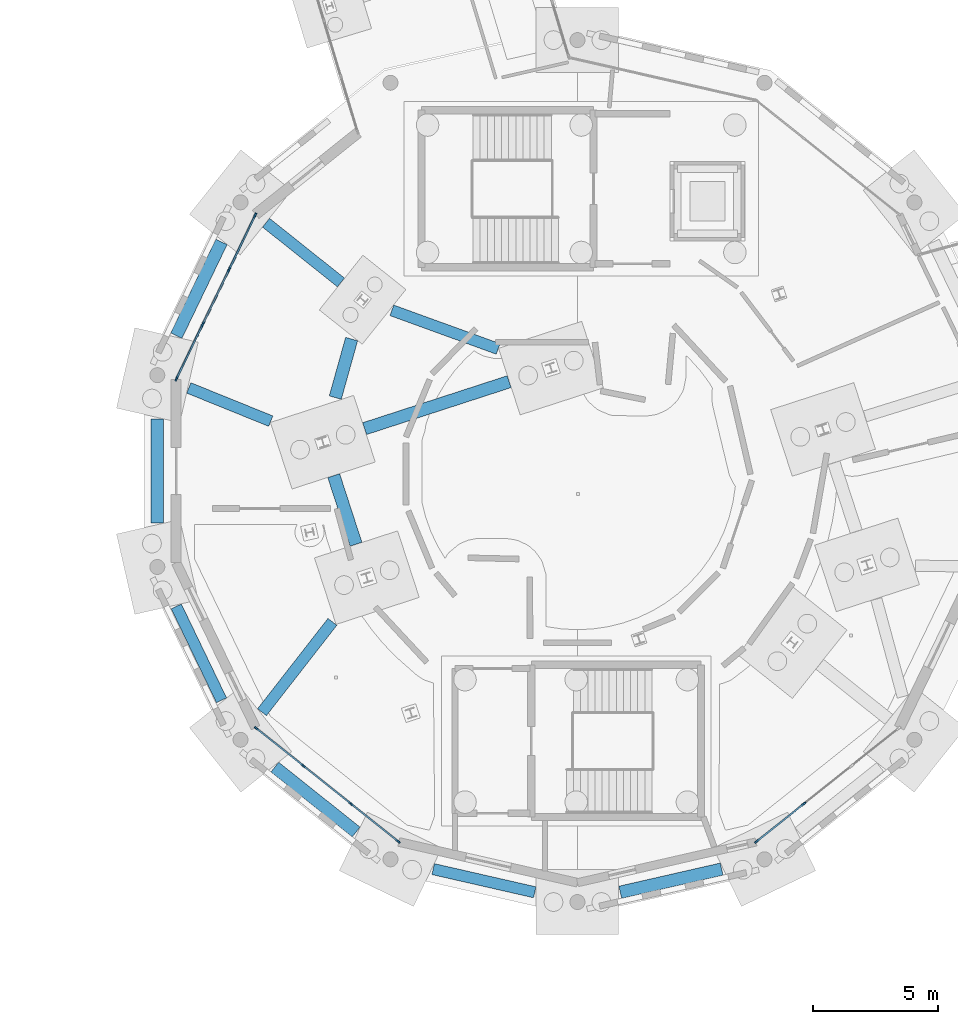
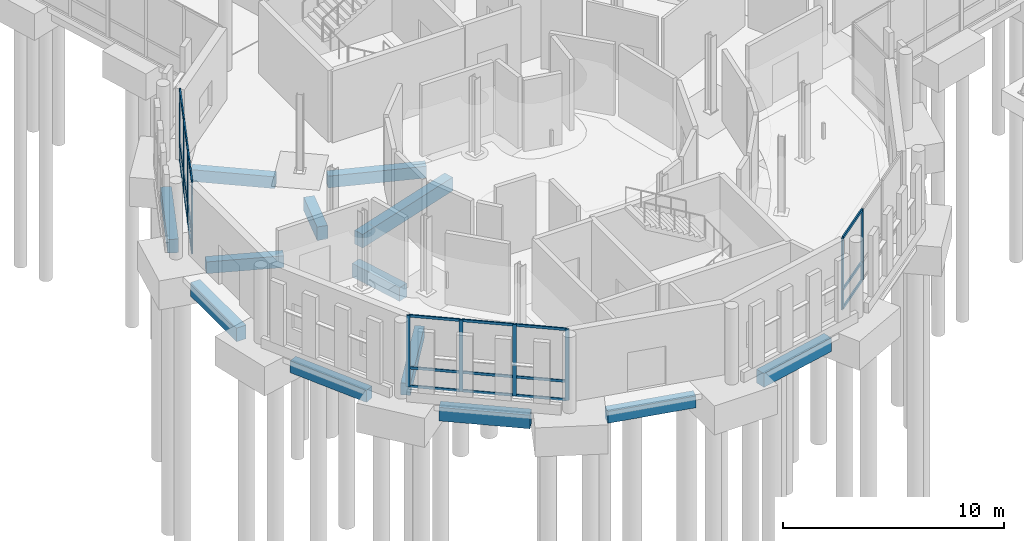
# One storey, part 29 of 113: 31 members, 13 beams, 3 elements without a shape of their own.
"""IFC4 building model written with IfcOpenShell, lengths in metres."""

from ifc_helpers import new_model, si_unit, direction, frame, origin, origin_2d, place, context, subcontext, project, spatial, rectangle, extrude, material, material_profile, profile_set, type_object, element, aggregate, save


model = new_model("IFC4")

# Units and contexts
model_context = context("Model", 3, precision=1e-05, world=origin(), true_north=direction((0.0, 1.0)))
body_context = subcontext(model_context, "Body", "Model", "MODEL_VIEW")
ifc_project = project(units=[si_unit("LENGTHUNIT", "METRE"), si_unit("AREAUNIT", "SQUARE_METRE"), si_unit("VOLUMEUNIT", "CUBIC_METRE"), si_unit("PLANEANGLEUNIT", "RADIAN"), si_unit("MASSUNIT", "GRAM", prefix="KILO")], contexts=[model_context])

# Site, building, storey
site_placement = place(None, origin())
site = spatial("IfcSite", under=ifc_project, at=site_placement, CompositionType="ELEMENT")
building_placement = place(site_placement, origin())
building = spatial("IfcBuilding", under=site, at=building_placement, Name="Wrenclough Park School", CompositionType="ELEMENT")
storey_placement = place(building_placement, origin())
storey = spatial("IfcBuildingStorey", under=building, at=storey_placement, Name="L00", CompositionType="ELEMENT", Elevation=0.0)

# Curtain wall, members
ifc_material_1 = material(Name="Thermally broken aluminium and low-e glass curtain wall", Category="aluminium")
curtain_wall_type_1 = type_object("IfcCurtainWallType", Name="ENV-CW-02", PredefinedType="USERDEFINED", material=ifc_material_1)
curtain_wall_1_placement = place(storey_placement, origin())
curtain_wall_1 = element("IfcCurtainWall", 1, at=curtain_wall_1_placement, inside=storey, type_object=curtain_wall_type_1, Name="L00 recessed curtain wall assembly 001", ObjectType="CURTAIN WALL", PredefinedType="USERDEFINED")
ifc_material_2 = material(Name="Thermally broken anodised aluminium", Category="aluminium")
ifc_material_profile_1 = material_profile(ifc_material_2, rectangle(XDim=0.06494140625, YDim=0.179931640625, at=origin_2d()), Name="AL MULLION 65x180")
ifc_profile_set_1 = profile_set([ifc_material_profile_1], Name="Thermally broken anodised aluminium")
member_type_1 = type_object("IfcMemberType", Name="ENV-CWM-2", PredefinedType="MULLION", material=ifc_profile_set_1)
member_1_placement = place(storey_placement, frame((29.322265625, 8.677490234375, 0.0), z_axis=(0.0, 0.0, 1.0), x_axis=(-0.623498909972, -0.781824218903, 0.0)))
member_1 = element("IfcMember", 2, at=member_1_placement, type_object=member_type_1, Name="CW-02 mullion 1", PredefinedType="MULLION", context=body_context, shape_type="SweptSolid", body=[
    extrude(rectangle(XDim=0.06494140625, YDim=0.179931640625, at=origin_2d()), origin(), (0.0, 0.0, 1.0), 3.93994140625),
])
member_2_placement = place(storey_placement, frame((27.438720703125, 10.1796875, 0.0), z_axis=(0.0, 0.0, 1.0), x_axis=(-0.623498909972, -0.781824218903, 0.0)))
member_2 = element("IfcMember", 3, at=member_2_placement, type_object=member_type_1, Name="CW-02 mullion 2", PredefinedType="MULLION", context=body_context, shape_type="SweptSolid", body=[
    extrude(rectangle(XDim=0.06494140625, YDim=0.179931640625, at=origin_2d()), origin(), (0.0, 0.0, 1.0), 3.93994140625),
])
member_3_placement = place(storey_placement, frame((25.52978515625, 11.701904296875, 0.0), z_axis=(0.0, 0.0, 1.0), x_axis=(-0.623498909972, -0.781824218903, 0.0)))
member_3 = element("IfcMember", 4, at=member_3_placement, type_object=member_type_1, Name="CW-02 mullion 3", PredefinedType="MULLION", context=body_context, shape_type="SweptSolid", body=[
    extrude(rectangle(XDim=0.06494140625, YDim=0.179931640625, at=origin_2d()), origin(), (0.0, 0.0, 1.0), 3.93994140625),
])
member_4_placement = place(storey_placement, frame((23.646484375, 13.2041015625, 0.0), z_axis=(0.0, 0.0, 1.0), x_axis=(-0.623498909972, -0.781824218903, 0.0)))
member_4 = element("IfcMember", 5, at=member_4_placement, type_object=member_type_1, Name="CW-02 mullion 4", PredefinedType="MULLION", context=body_context, shape_type="SweptSolid", body=[
    extrude(rectangle(XDim=0.06494140625, YDim=0.179931640625, at=origin_2d()), origin(), (0.0, 0.0, 1.0), 3.93994140625),
])

curtain_wall_type_2 = type_object("IfcCurtainWallType", Name="ENV-CW-03", PredefinedType="USERDEFINED", material=ifc_material_1)
curtain_wall_2_placement = place(storey_placement, origin())
curtain_wall_2 = element("IfcCurtainWall", 6, at=curtain_wall_2_placement, inside=storey, type_object=curtain_wall_type_2, Name="L00 recessed curtain wall assembly 002", ObjectType="CURTAIN WALL", PredefinedType="USERDEFINED")
ifc_material_profile_2 = material_profile(ifc_material_2, rectangle(XDim=0.070068359375, YDim=0.199951171875, at=origin_2d()), Name="AL MULLION 70x200")
ifc_profile_set_2 = profile_set([ifc_material_profile_2], Name="Thermally broken anodised aluminium")
member_type_2 = type_object("IfcMemberType", Name="ENV-CWM-3", PredefinedType="MULLION", material=ifc_profile_set_2)
member_5_placement = place(storey_placement, frame((20.453125, 27.20166015625, 0.0), z_axis=(0.0, 0.0, 1.0), x_axis=(-0.900963523358, 0.433894837004, 0.0)))
member_5 = element("IfcMember", 7, at=member_5_placement, type_object=member_type_2, Name="CW-03 mullion 1", PredefinedType="MULLION", context=body_context, shape_type="SweptSolid", body=[
    extrude(rectangle(XDim=0.070068359375, YDim=0.199951171875, at=origin_2d()), origin(), (0.0, 0.0, 1.0), 3.93994140625),
])
member_6_placement = place(storey_placement, frame((21.497314453125, 29.369873046875, 0.0), z_axis=(0.0, 0.0, 1.0), x_axis=(-0.900963523358, 0.433894837004, 0.0)))
member_6 = element("IfcMember", 8, at=member_6_placement, type_object=member_type_2, Name="CW-03 mullion 2", PredefinedType="MULLION", context=body_context, shape_type="SweptSolid", body=[
    extrude(rectangle(XDim=0.070068359375, YDim=0.199951171875, at=origin_2d()), origin(), (0.0, 0.0, 1.0), 3.93994140625),
])
member_7_placement = place(storey_placement, frame((22.556884765625, 31.56982421875, 0.0), z_axis=(0.0, 0.0, 1.0), x_axis=(-0.900963523358, 0.433894837004, 0.0)))
member_7 = element("IfcMember", 9, at=member_7_placement, type_object=member_type_2, Name="CW-03 mullion 3", PredefinedType="MULLION", context=body_context, shape_type="SweptSolid", body=[
    extrude(rectangle(XDim=0.070068359375, YDim=0.199951171875, at=origin_2d()), origin(), (0.0, 0.0, 1.0), 3.93994140625),
])
member_8_placement = place(storey_placement, frame((23.60107421875, 33.73828125, 0.0), z_axis=(0.0, 0.0, 1.0), x_axis=(-0.900963523358, 0.433894837004, 0.0)))
member_8 = element("IfcMember", 10, at=member_8_placement, type_object=member_type_2, Name="CW-03 mullion 4", PredefinedType="MULLION", context=body_context, shape_type="SweptSolid", body=[
    extrude(rectangle(XDim=0.070068359375, YDim=0.199951171875, at=origin_2d()), origin(), (0.0, 0.0, 1.0), 3.93994140625),
])

curtain_wall_type_3 = type_object("IfcCurtainWallType", Name="ENV-CW-13", PredefinedType="USERDEFINED", material=ifc_material_1)
curtain_wall_3_placement = place(storey_placement, origin())
curtain_wall_3 = element("IfcCurtainWall", 11, at=curtain_wall_3_placement, inside=storey, type_object=curtain_wall_type_3, Name="L00 recessed curtain wall assembly 044", ObjectType="CURTAIN WALL", PredefinedType="USERDEFINED")
member_9_placement = place(storey_placement, frame((45.56103515625, 10.1796875, 0.0), z_axis=(0.0, 0.0, 1.0), x_axis=(0.623483909926, -0.781836181091, 0.0)))
member_9 = element("IfcMember", 12, at=member_9_placement, type_object=member_type_2, Name="CW-13 mullion 3", PredefinedType="MULLION", context=body_context, shape_type="SweptSolid", body=[
    extrude(rectangle(XDim=0.070068359375, YDim=0.199951171875, at=origin_2d()), origin(), (0.0, 0.0, 1.0), 3.93994140625),
])
member_10_placement = place(storey_placement, frame((43.679443359375, 8.67919921875, 0.0), z_axis=(0.0, 0.0, 1.0), x_axis=(0.623483909926, -0.781836181091, 0.0)))
member_10 = element("IfcMember", 13, at=member_10_placement, type_object=member_type_2, Name="CW-13 mullion 4", PredefinedType="MULLION", context=body_context, shape_type="SweptSolid", body=[
    extrude(rectangle(XDim=0.070068359375, YDim=0.199951171875, at=origin_2d()), origin(), (0.0, 0.0, 1.0), 3.93994140625),
])

# Member
ifc_material_profile_3 = material_profile(ifc_material_2, rectangle(XDim=0.06494140625, YDim=0.139892578125, at=origin_2d()), Name="AL TRANSOM 65x140")
ifc_profile_set_3 = profile_set([ifc_material_profile_3], Name="Thermally broken anodised aluminium")
member_type_3 = type_object("IfcMemberType", Name="ENV-CWT-2", PredefinedType="USERDEFINED", material=ifc_profile_set_3)
member_11_placement = place(storey_placement, frame((29.296875, 8.69775390625, 0.032470703125), z_axis=(-0.781812837052, 0.623513181754, 0.0), x_axis=(-0.623513181754, -0.781812837052, 0.0)))
member_11 = element("IfcMember", 14, at=member_11_placement, type_object=member_type_3, Name="CW-02 transom 1.1", ObjectType="TRANSOM", PredefinedType="USERDEFINED", context=body_context, shape_type="SweptSolid", body=[
    extrude(rectangle(XDim=0.06494140625, YDim=0.139892578125, at=origin_2d()), origin(), (0.0, 0.0, 1.0), 2.34423828125),
])

member_12_placement = place(storey_placement, frame((29.296875, 8.69775390625, 1.050048828125), z_axis=(-0.781812837052, 0.623513181754, 0.0), x_axis=(-0.623513181754, -0.781812837052, 0.0)))
member_12 = element("IfcMember", 15, at=member_12_placement, type_object=member_type_3, Name="CW-02 transom 1.2", ObjectType="TRANSOM", PredefinedType="USERDEFINED", context=body_context, shape_type="SweptSolid", body=[
    extrude(rectangle(XDim=0.06494140625, YDim=0.139892578125, at=origin_2d()), origin(), (0.0, 0.0, 1.0), 2.34423828125),
])

member_13_placement = place(storey_placement, frame((29.296875, 8.69775390625, 3.907470703125), z_axis=(-0.781812837052, 0.623513181754, 0.0), x_axis=(-0.623513181754, -0.781812837052, 0.0)))
member_13 = element("IfcMember", 16, at=member_13_placement, type_object=member_type_3, Name="CW-02 transom 1.3", ObjectType="TRANSOM", PredefinedType="USERDEFINED", context=body_context, shape_type="SweptSolid", body=[
    extrude(rectangle(XDim=0.06494140625, YDim=0.139892578125, at=origin_2d()), origin(), (0.0, 0.0, 1.0), 2.34423828125),
])

member_14_placement = place(storey_placement, frame((27.413330078125, 10.199951171875, 0.032470703125), z_axis=(-0.781820088597, 0.623504089053, 0.0), x_axis=(-0.623504089053, -0.781820088597, 0.0)))
member_14 = element("IfcMember", 17, at=member_14_placement, type_object=member_type_3, Name="CW-02 transom 2.1", ObjectType="TRANSOM", PredefinedType="USERDEFINED", context=body_context, shape_type="SweptSolid", body=[
    extrude(rectangle(XDim=0.06494140625, YDim=0.139892578125, at=origin_2d()), origin(), (0.0, 0.0, 1.0), 2.37646484375),
])

member_15_placement = place(storey_placement, frame((27.413330078125, 10.199951171875, 1.050048828125), z_axis=(-0.781820088597, 0.623504089053, 0.0), x_axis=(-0.623504089053, -0.781820088597, 0.0)))
member_15 = element("IfcMember", 18, at=member_15_placement, type_object=member_type_3, Name="CW-02 transom 2.2", ObjectType="TRANSOM", PredefinedType="USERDEFINED", context=body_context, shape_type="SweptSolid", body=[
    extrude(rectangle(XDim=0.06494140625, YDim=0.139892578125, at=origin_2d()), origin(), (0.0, 0.0, 1.0), 2.37646484375),
])

member_16_placement = place(storey_placement, frame((27.413330078125, 10.199951171875, 3.907470703125), z_axis=(-0.781820088597, 0.623504089053, 0.0), x_axis=(-0.623504089053, -0.781820088597, 0.0)))
member_16 = element("IfcMember", 19, at=member_16_placement, type_object=member_type_3, Name="CW-02 transom 2.3", ObjectType="TRANSOM", PredefinedType="USERDEFINED", context=body_context, shape_type="SweptSolid", body=[
    extrude(rectangle(XDim=0.06494140625, YDim=0.139892578125, at=origin_2d()), origin(), (0.0, 0.0, 1.0), 2.37646484375),
])

member_17_placement = place(storey_placement, frame((25.50439453125, 11.72216796875, 0.032470703125), z_axis=(-0.781772343982, 0.623563951961, 0.0), x_axis=(-0.623563951961, -0.781772343982, 0.0)))
member_17 = element("IfcMember", 20, at=member_17_placement, type_object=member_type_3, Name="CW-02 transom 3.1", ObjectType="TRANSOM", PredefinedType="USERDEFINED", context=body_context, shape_type="SweptSolid", body=[
    extrude(rectangle(XDim=0.06494140625, YDim=0.139892578125, at=origin_2d()), origin(), (0.0, 0.0, 1.0), 2.343994140625),
])

member_18_placement = place(storey_placement, frame((25.50439453125, 11.72216796875, 1.050048828125), z_axis=(-0.781772343982, 0.623563951961, 0.0), x_axis=(-0.623563951961, -0.781772343982, 0.0)))
member_18 = element("IfcMember", 21, at=member_18_placement, type_object=member_type_3, Name="CW-02 transom 3.2", ObjectType="TRANSOM", PredefinedType="USERDEFINED", context=body_context, shape_type="SweptSolid", body=[
    extrude(rectangle(XDim=0.06494140625, YDim=0.139892578125, at=origin_2d()), origin(), (0.0, 0.0, 1.0), 2.343994140625),
])

member_19_placement = place(storey_placement, frame((25.50439453125, 11.72216796875, 3.907470703125), z_axis=(-0.781772343982, 0.623563951961, 0.0), x_axis=(-0.623563951961, -0.781772343982, 0.0)))
member_19 = element("IfcMember", 22, at=member_19_placement, type_object=member_type_3, Name="CW-02 transom 3.3", ObjectType="TRANSOM", PredefinedType="USERDEFINED", context=body_context, shape_type="SweptSolid", body=[
    extrude(rectangle(XDim=0.06494140625, YDim=0.139892578125, at=origin_2d()), origin(), (0.0, 0.0, 1.0), 2.343994140625),
])

aggregate(curtain_wall_1, [member_1, member_2, member_3, member_4, member_11, member_12, member_13, member_14, member_15, member_16, member_17, member_18, member_19])

ifc_material_profile_4 = material_profile(ifc_material_2, rectangle(XDim=0.070068359375, YDim=0.14990234375, at=origin_2d()), Name="AL TRANSOM 70x150")
ifc_profile_set_4 = profile_set([ifc_material_profile_4], Name="Thermally broken anodised aluminium")
member_type_4 = type_object("IfcMemberType", Name="ENV-CWT-3", PredefinedType="USERDEFINED", material=ifc_profile_set_4)
member_20_placement = place(storey_placement, frame((20.46826171875, 27.233154296875, 0.034912109375), z_axis=(0.433916142739, 0.900953262423, 0.0), x_axis=(-0.900953262423, 0.433916142739, 0.0)))
member_20 = element("IfcMember", 23, at=member_20_placement, type_object=member_type_4, Name="CW-03 transom 1.1", ObjectType="TRANSOM", PredefinedType="USERDEFINED", context=body_context, shape_type="SweptSolid", body=[
    extrude(rectangle(XDim=0.070068359375, YDim=0.14990234375, at=origin_2d()), origin(), (0.0, 0.0, 1.0), 2.336669921875),
])

member_21_placement = place(storey_placement, frame((20.46826171875, 27.233154296875, 1.050048828125), z_axis=(0.433916142739, 0.900953262423, 0.0), x_axis=(-0.900953262423, 0.433916142739, 0.0)))
member_21 = element("IfcMember", 24, at=member_21_placement, type_object=member_type_4, Name="CW-03 transom 1.2", ObjectType="TRANSOM", PredefinedType="USERDEFINED", context=body_context, shape_type="SweptSolid", body=[
    extrude(rectangle(XDim=0.070068359375, YDim=0.14990234375, at=origin_2d()), origin(), (0.0, 0.0, 1.0), 2.336669921875),
])

member_22_placement = place(storey_placement, frame((20.46826171875, 27.233154296875, 3.905029296875), z_axis=(0.433916142739, 0.900953262423, 0.0), x_axis=(-0.900953262423, 0.433916142739, 0.0)))
member_22 = element("IfcMember", 25, at=member_22_placement, type_object=member_type_4, Name="CW-03 transom 1.3", ObjectType="TRANSOM", PredefinedType="USERDEFINED", context=body_context, shape_type="SweptSolid", body=[
    extrude(rectangle(XDim=0.070068359375, YDim=0.14990234375, at=origin_2d()), origin(), (0.0, 0.0, 1.0), 2.336669921875),
])

member_23_placement = place(storey_placement, frame((21.512451171875, 29.401611328125, 0.034912109375), z_axis=(0.433905376627, 0.900958447507, 0.0), x_axis=(-0.900958447507, 0.433905376627, 0.0)))
member_23 = element("IfcMember", 26, at=member_23_placement, type_object=member_type_4, Name="CW-03 transom 2.1", ObjectType="TRANSOM", PredefinedType="USERDEFINED", context=body_context, shape_type="SweptSolid", body=[
    extrude(rectangle(XDim=0.070068359375, YDim=0.14990234375, at=origin_2d()), origin(), (0.0, 0.0, 1.0), 2.37158203125),
])

member_24_placement = place(storey_placement, frame((21.512451171875, 29.401611328125, 1.050048828125), z_axis=(0.433905376627, 0.900958447507, 0.0), x_axis=(-0.900958447507, 0.433905376627, 0.0)))
member_24 = element("IfcMember", 27, at=member_24_placement, type_object=member_type_4, Name="CW-03 transom 2.2", ObjectType="TRANSOM", PredefinedType="USERDEFINED", context=body_context, shape_type="SweptSolid", body=[
    extrude(rectangle(XDim=0.070068359375, YDim=0.14990234375, at=origin_2d()), origin(), (0.0, 0.0, 1.0), 2.37158203125),
])

member_25_placement = place(storey_placement, frame((21.512451171875, 29.401611328125, 3.905029296875), z_axis=(0.433905376627, 0.900958447507, 0.0), x_axis=(-0.900958447507, 0.433905376627, 0.0)))
member_25 = element("IfcMember", 28, at=member_25_placement, type_object=member_type_4, Name="CW-03 transom 2.3", ObjectType="TRANSOM", PredefinedType="USERDEFINED", context=body_context, shape_type="SweptSolid", body=[
    extrude(rectangle(XDim=0.070068359375, YDim=0.14990234375, at=origin_2d()), origin(), (0.0, 0.0, 1.0), 2.37158203125),
])

member_26_placement = place(storey_placement, frame((22.572021484375, 31.601318359375, 0.034912109375), z_axis=(0.433916142739, 0.900953262423, 0.0), x_axis=(-0.900953262423, 0.433916142739, 0.0)))
member_26 = element("IfcMember", 29, at=member_26_placement, type_object=member_type_4, Name="CW-03 transom 3.1", ObjectType="TRANSOM", PredefinedType="USERDEFINED", context=body_context, shape_type="SweptSolid", body=[
    extrude(rectangle(XDim=0.070068359375, YDim=0.14990234375, at=origin_2d()), origin(), (0.0, 0.0, 1.0), 2.336669921875),
])

member_27_placement = place(storey_placement, frame((22.572021484375, 31.601318359375, 1.050048828125), z_axis=(0.433916142739, 0.900953262423, 0.0), x_axis=(-0.900953262423, 0.433916142739, 0.0)))
member_27 = element("IfcMember", 30, at=member_27_placement, type_object=member_type_4, Name="CW-03 transom 3.2", ObjectType="TRANSOM", PredefinedType="USERDEFINED", context=body_context, shape_type="SweptSolid", body=[
    extrude(rectangle(XDim=0.070068359375, YDim=0.14990234375, at=origin_2d()), origin(), (0.0, 0.0, 1.0), 2.336669921875),
])

member_28_placement = place(storey_placement, frame((22.572021484375, 31.601318359375, 3.905029296875), z_axis=(0.433916142739, 0.900953262423, 0.0), x_axis=(-0.900953262423, 0.433916142739, 0.0)))
member_28 = element("IfcMember", 31, at=member_28_placement, type_object=member_type_4, Name="CW-03 transom 3.3", ObjectType="TRANSOM", PredefinedType="USERDEFINED", context=body_context, shape_type="SweptSolid", body=[
    extrude(rectangle(XDim=0.070068359375, YDim=0.14990234375, at=origin_2d()), origin(), (0.0, 0.0, 1.0), 2.336669921875),
])

aggregate(curtain_wall_2, [member_5, member_6, member_7, member_8, member_20, member_21, member_22, member_23, member_24, member_25, member_26, member_27, member_28])

member_29_placement = place(storey_placement, frame((45.53369140625, 10.15771484375, 0.034912109375), z_axis=(-0.781815992205, -0.623509225539, 0.0), x_axis=(0.623509225539, -0.781815992205, 0.0)))
member_29 = element("IfcMember", 32, at=member_29_placement, type_object=member_type_4, Name="CW-13 transom 3.1", ObjectType="TRANSOM", PredefinedType="USERDEFINED", context=body_context, shape_type="SweptSolid", body=[
    extrude(rectangle(XDim=0.070068359375, YDim=0.14990234375, at=origin_2d()), origin(), (0.0, 0.0, 1.0), 2.33642578125),
])

member_30_placement = place(storey_placement, frame((45.53369140625, 10.15771484375, 1.050048828125), z_axis=(-0.781815992205, -0.623509225539, 0.0), x_axis=(0.623509225539, -0.781815992205, 0.0)))
member_30 = element("IfcMember", 33, at=member_30_placement, type_object=member_type_4, Name="CW-13 transom 3.2", ObjectType="TRANSOM", PredefinedType="USERDEFINED", context=body_context, shape_type="SweptSolid", body=[
    extrude(rectangle(XDim=0.070068359375, YDim=0.14990234375, at=origin_2d()), origin(), (0.0, 0.0, 1.0), 2.33642578125),
])

member_31_placement = place(storey_placement, frame((45.53369140625, 10.15771484375, 3.905029296875), z_axis=(-0.781815992205, -0.623509225539, 0.0), x_axis=(0.623509225539, -0.781815992205, 0.0)))
member_31 = element("IfcMember", 34, at=member_31_placement, type_object=member_type_4, Name="CW-13 transom 3.3", ObjectType="TRANSOM", PredefinedType="USERDEFINED", context=body_context, shape_type="SweptSolid", body=[
    extrude(rectangle(XDim=0.070068359375, YDim=0.14990234375, at=origin_2d()), origin(), (0.0, 0.0, 1.0), 2.33642578125),
])

aggregate(curtain_wall_3, [member_9, member_10, member_29, member_30, member_31])

# Beams
ifc_material_3 = material(Name="Concrete C35/45", Category="concrete")
ifc_material_profile_5 = material_profile(ifc_material_3, rectangle(XDim=0.449951171875, YDim=0.64990234375, at=origin_2d()), Name="RC GROUND 450x650")
ifc_profile_set_5 = profile_set([ifc_material_profile_5], Name="Concrete C35/45")
beam_type_1 = type_object("IfcBeamType", Name="STR-BM-GTB1", PredefinedType="USERDEFINED", material=ifc_profile_set_5)
beam_1_placement = place(storey_placement, frame((26.691650390625, 17.464599609375, -0.625), z_axis=(-0.614699470582, -0.788761409342, 0.0), x_axis=(0.788761409342, -0.614699470582, 0.0)))
element("IfcBeam", 35, at=beam_1_placement, inside=storey, type_object=beam_type_1, Name="Reinforced concrete ground tie beam 013", ObjectType="GROUND TIE BEAM", PredefinedType="USERDEFINED", context=body_context, shape_type="SweptSolid", body=[
    extrude(rectangle(XDim=0.449951171875, YDim=0.64990234375, at=origin_2d()), origin(), (0.0, 0.0, 1.0), 4.58642578125),
])
beam_2_placement = place(storey_placement, frame((33.32421875, 28.388916015625, -0.625), z_axis=(-0.939966562046, 0.341266555986, 0.0), x_axis=(-0.341266555986, -0.939966562046, 0.0)))
element("IfcBeam", 36, at=beam_2_placement, inside=storey, type_object=beam_type_1, Name="Reinforced concrete ground tie beam 015", ObjectType="GROUND TIE BEAM", PredefinedType="USERDEFINED", context=body_context, shape_type="SweptSolid", body=[
    extrude(rectangle(XDim=0.449951171875, YDim=0.64990234375, at=origin_2d()), origin(), (0.0, 0.0, 1.0), 4.525634765625),
])
beam_3_placement = place(storey_placement, frame((24.035888671875, 33.439697265625, -0.625), z_axis=(0.781867975425, -0.62344403839, 0.0), x_axis=(0.62344403839, 0.781867975425, 0.0)))
element("IfcBeam", 37, at=beam_3_placement, inside=storey, type_object=beam_type_1, Name="Reinforced concrete ground tie beam 053", ObjectType="GROUND TIE BEAM", PredefinedType="USERDEFINED", context=body_context, shape_type="SweptSolid", body=[
    extrude(rectangle(XDim=0.449951171875, YDim=0.64990234375, at=origin_2d()), origin(), (0.0, 0.0, 1.0), 3.834228515625),
])
beam_4_placement = place(storey_placement, frame((20.944091796875, 26.827392578125, -0.625), z_axis=(0.926855404435, -0.375418512155, 0.0), x_axis=(0.375418512155, 0.926855404435, 0.0)))
element("IfcBeam", 38, at=beam_4_placement, inside=storey, type_object=beam_type_1, Name="Reinforced concrete ground tie beam 055", ObjectType="GROUND TIE BEAM", PredefinedType="USERDEFINED", context=body_context, shape_type="SweptSolid", body=[
    extrude(rectangle(XDim=0.449951171875, YDim=0.64990234375, at=origin_2d()), origin(), (0.0, 0.0, 1.0), 3.53955078125),
])
beam_5_placement = place(storey_placement, frame((20.44287109375, 18.08251953125, -0.625), z_axis=(0.433891280359, -0.900965236193, 0.0), x_axis=(0.900965236193, 0.433891280359, 0.0)))
element("IfcBeam", 39, at=beam_5_placement, inside=storey, type_object=beam_type_1, Name="Reinforced concrete ground tie beam 057", ObjectType="GROUND TIE BEAM", PredefinedType="USERDEFINED", context=body_context, shape_type="SweptSolid", body=[
    extrude(rectangle(XDim=0.449951171875, YDim=0.64990234375, at=origin_2d()), origin(), (0.0, 0.0, 1.0), 4.171630859375),
])
beam_6_placement = place(storey_placement, frame((30.72412109375, 7.568359375, -0.625), z_axis=(0.974919126375, -0.222559423591, 0.0), x_axis=(0.222559423591, 0.974919126375, 0.0)))
element("IfcBeam", 40, at=beam_6_placement, inside=storey, type_object=beam_type_1, Name="Reinforced concrete ground tie beam 059", ObjectType="GROUND TIE BEAM", PredefinedType="USERDEFINED", context=body_context, shape_type="SweptSolid", body=[
    extrude(rectangle(XDim=0.449951171875, YDim=0.64990234375, at=origin_2d()), origin(), (0.0, 0.0, 1.0), 4.171875),
])
ifc_material_profile_6 = material_profile(ifc_material_3, rectangle(XDim=0.5, YDim=0.75, at=origin_2d()), Name="RC GROUND 500x750")
ifc_profile_set_6 = profile_set([ifc_material_profile_6], Name="Concrete C35/45")
beam_type_2 = type_object("IfcBeamType", Name="STR-BM-GTB2", PredefinedType="USERDEFINED", material=ifc_profile_set_6)
beam_7_placement = place(storey_placement, frame((27.634765625, 20.572509765625, -0.675048828125), z_axis=(-0.308980793452, 0.951068277926, 0.0), x_axis=(-0.951068277926, -0.308980793452, 0.0)))
element("IfcBeam", 41, at=beam_7_placement, inside=storey, type_object=beam_type_2, Name="Reinforced concrete ground tie beam 012", ObjectType="GROUND TIE BEAM", PredefinedType="USERDEFINED", context=body_context, shape_type="SweptSolid", body=[
    extrude(rectangle(XDim=0.5, YDim=0.75, at=origin_2d()), origin(), (0.0, 0.0, 1.0), 2.884033203125),
])
beam_8_placement = place(storey_placement, frame((26.806884765625, 26.4404296875, -0.675048828125), z_axis=(0.26868860702, 0.96322709288, 0.0), x_axis=(-0.96322709288, 0.26868860702, 0.0)))
element("IfcBeam", 42, at=beam_8_placement, inside=storey, type_object=beam_type_2, Name="Reinforced concrete ground tie beam 014", ObjectType="GROUND TIE BEAM", PredefinedType="USERDEFINED", context=body_context, shape_type="SweptSolid", body=[
    extrude(rectangle(XDim=0.5, YDim=0.75, at=origin_2d()), origin(), (0.0, 0.0, 1.0), 2.434326171875),
])
beam_9_placement = place(storey_placement, frame((33.7666015625, 27.077880859375, -0.675048828125), z_axis=(-0.951051761032, -0.309031629186, 0.0), x_axis=(0.309031629186, -0.951051761032, 0.0)))
element("IfcBeam", 43, at=beam_9_placement, inside=storey, type_object=beam_type_2, Name="Reinforced concrete ground tie beam 016", ObjectType="GROUND TIE BEAM", PredefinedType="USERDEFINED", context=body_context, shape_type="SweptSolid", body=[
    extrude(rectangle(XDim=0.5, YDim=0.75, at=origin_2d()), origin(), (0.0, 0.0, 1.0), 6.083984375),
])
beam_10_placement = place(storey_placement, frame((22.251220703125, 32.672607421875, -0.675048828125), z_axis=(-0.433889660358, -0.900966016359, 0.0), x_axis=(0.900966016359, -0.433889660358, 0.0)))
element("IfcBeam", 44, at=beam_10_placement, inside=storey, type_object=beam_type_2, Name="Reinforced concrete ground tie beam 054", ObjectType="GROUND TIE BEAM", PredefinedType="USERDEFINED", context=body_context, shape_type="SweptSolid", body=[
    extrude(rectangle(XDim=0.5, YDim=0.75, at=origin_2d()), origin(), (0.0, 0.0, 1.0), 4.163818359375),
])
for number, where, z_axis, x_axis, name in (
    (45, (19.6826171875, 25.581787109375, -0.675048828125), (0.0, -1.0, 0.0), (1.0, 0.0, 0.0), "Reinforced concrete ground tie beam 056"),
    (46, (24.38671875, 11.6494140625, -0.675048828125), (0.781874646839, -0.623435671606, 0.0), (0.623435671606, 0.781874646839, 0.0), "Reinforced concrete ground tie beam 058"),
):
    element("IfcBeam", number, at=place(storey_placement, frame(where, z_axis=z_axis, x_axis=x_axis)), inside=storey, type_object=beam_type_2, Name=name, ObjectType="GROUND TIE BEAM", PredefinedType="USERDEFINED", context=body_context, shape_type="SweptSolid", body=[
        extrude(rectangle(XDim=0.5, YDim=0.75, at=origin_2d()), origin(), (0.0, 0.0, 1.0), 4.16357421875),
    ])
beam_11_placement = place(storey_placement, frame((38.212646484375, 6.640869140625, -0.675048828125), z_axis=(0.974927966227, 0.222520697169, 0.0), x_axis=(-0.222520697169, 0.974927966227, 0.0)))
element("IfcBeam", 47, at=beam_11_placement, inside=storey, type_object=beam_type_2, Name="Reinforced concrete ground tie beam 060", ObjectType="GROUND TIE BEAM", PredefinedType="USERDEFINED", context=body_context, shape_type="SweptSolid", body=[
    extrude(rectangle(XDim=0.5, YDim=0.75, at=origin_2d()), origin(), (0.0, 0.0, 1.0), 4.163818359375),
])

save(model, "model.ifc")
